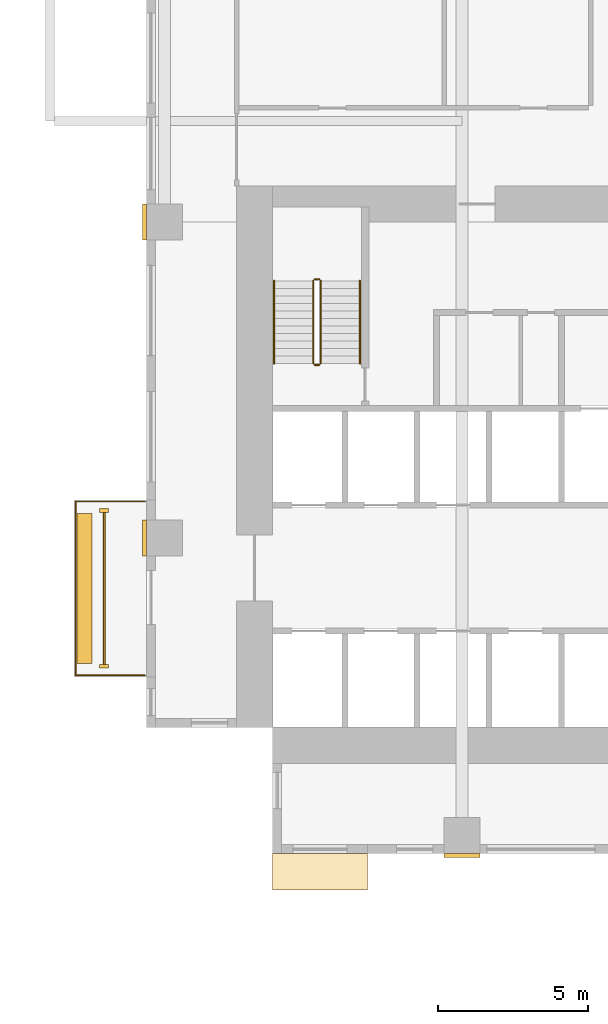
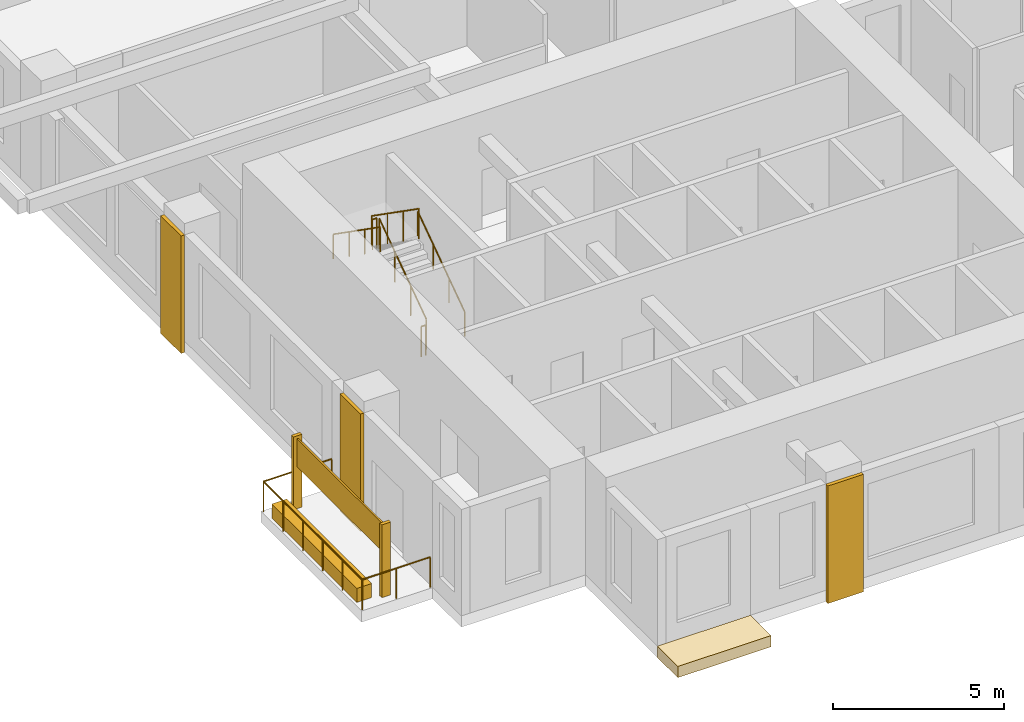
# One storey, part 11 of 15: 8 coverings, 7 railings.
"""IFC4 building model written with IfcOpenShell, lengths in metres."""

from ifc_helpers import new_model, si_unit, direction, frame, origin, origin_2d, place, context, subcontext, project, spatial, polyline, rectangle, circle, outline, extrude, source, transform, mapped, material, type_object, element, save


model = new_model("IFC4")

# Units and contexts
model_context = context("Model", 3, precision=1e-05, world=origin(), true_north=direction((0.0, 1.0)))
body_context = subcontext(model_context, "Body", "Model", "MODEL_VIEW")
ifc_project = project(units=[si_unit("LENGTHUNIT", "METRE"), si_unit("AREAUNIT", "SQUARE_METRE"), si_unit("VOLUMEUNIT", "CUBIC_METRE"), si_unit("PLANEANGLEUNIT", "RADIAN"), si_unit("MASSUNIT", "GRAM", prefix="KILO")], contexts=[model_context])

# Site, building, storey
site_placement = place(None, origin())
site = spatial("IfcSite", under=ifc_project, at=site_placement, CompositionType="ELEMENT")
building_placement = place(site_placement, origin())
building = spatial("IfcBuilding", under=site, at=building_placement, Name="Aurelian Terraces", CompositionType="ELEMENT")
storey_placement = place(building_placement, frame((0.0, 0.0, 82.5)))
storey = spatial("IfcBuildingStorey", under=building, at=storey_placement, Name="L17", CompositionType="ELEMENT", Elevation=82.5)

# Coverings
ifc_material_1 = material(Name="Terracotta roof tiles on membrane", Category="masonry")
covering_type_1 = type_object("IfcCoveringType", Name="Bay roof cover", PredefinedType="ROOFING", material=ifc_material_1)
covering_1_placement = place(storey_placement, frame((0.0, 0.0, -0.4)))
element("IfcCovering", 1, at=covering_1_placement, inside=storey, type_object=covering_type_1, Name="Bay roof L17 4.20_-1.20_7.35_0.00", PredefinedType="ROOFING", context=body_context, shape_type="SweptSolid", body=[
    extrude(outline(polyline([(4.2, 0.0), (7.35, 0.0), (7.35, -1.2), (4.2, -1.2), (4.2, 0.0)])), origin(), (0.0, 0.0, 1.0), 0.4),
])
ifc_material_2 = material(Name="Terracotta rainscreen cladding relief", Category="masonry")
covering_type_2 = type_object("IfcCoveringType", Name="FIN-TC", PredefinedType="CLADDING", material=ifc_material_2)
shared_shape_1 = source(origin(), body_context, "Body", "SweptSolid", [
    extrude(rectangle(XDim=0.3, YDim=0.12, at=origin_2d()), origin(), (0.0, 0.0, 1.0), 2.6),
])
for number, where, z_axis, x_axis, name in (
    (2, (-1.4, 11.41, 0.0), (0.0, 0.0, 1.0), (1.0, 0.0, 0.0), "FIN L17 L17-F14-34.1"),
    (3, (-1.4, 6.23, 0.0), (0.0, 0.0, 1.0), (1.0, 0.0, 0.0), "FIN L17 L17-F14-34.2"),
):
    element("IfcCovering", number, at=place(storey_placement, frame(where, z_axis=z_axis, x_axis=x_axis)), inside=storey, type_object=covering_type_2, Name=name, PredefinedType="CLADDING", context=body_context, shape_type="MappedRepresentation", body=[
        mapped(shared_shape_1, transform((0.0, 0.0, 0.0), scale=1.0)),
    ])
covering_type_3 = type_object("IfcCoveringType", Name="BAGUETTE-TC", PredefinedType="CLADDING", material=ifc_material_2)
shared_shape_2 = source(origin(), body_context, "Body", "SweptSolid", [
    extrude(rectangle(XDim=1.2, YDim=0.12, at=origin_2d()), origin(), (0.0, 0.0, 1.0), 4.2),
])
covering_2_placement = place(storey_placement, frame((10.5, -0.06, -0.4), z_axis=(0.0, 0.0, 1.0), x_axis=(1.0, 0.0, 0.0)))
element("IfcCovering", 4, at=covering_2_placement, inside=storey, type_object=covering_type_3, Name="BAGUETTE pier L17 1", PredefinedType="CLADDING", context=body_context, shape_type="MappedRepresentation", body=[
    mapped(shared_shape_2, transform((0.0, 0.0, 0.0), scale=1.0)),
])
shared_shape_3 = source(origin(), body_context, "Body", "SweptSolid", [
    extrude(rectangle(XDim=0.12, YDim=1.2, at=origin_2d()), origin(), (0.0, 0.0, 1.0), 4.2),
])
for number, where, z_axis, x_axis, name in (
    (5, (-0.06, 10.5, -0.4), (0.0, 0.0, 1.0), (1.0, 0.0, 0.0), "BAGUETTE pier L17 5"),
    (6, (-0.06, 21.0, -0.4), (0.0, 0.0, 1.0), (1.0, 0.0, 0.0), "BAGUETTE pier L17 9"),
):
    element("IfcCovering", number, at=place(storey_placement, frame(where, z_axis=z_axis, x_axis=x_axis)), inside=storey, type_object=covering_type_3, Name=name, PredefinedType="CLADDING", context=body_context, shape_type="MappedRepresentation", body=[
        mapped(shared_shape_3, transform((0.0, 0.0, 0.0), scale=1.0)),
    ])

# Railing
ifc_material_3 = material(Name="Anodised aluminium", Category="aluminium")
railing_type_1 = type_object("IfcRailingType", Name="GUARD-1100", PredefinedType="GUARDRAIL", material=ifc_material_3)
shared_shape_4 = source(origin(), body_context, "Body", "SweptSolid", [
    extrude(circle(Radius=0.024, at=origin_2d()), frame((0.0, 0.0, 1.076), z_axis=(-1.0, 0.0, 0.0), x_axis=(0.0, -1.0, 0.0)), (0.0, 0.0, 1.0), 2.3),
    extrude(circle(Radius=0.024, at=origin_2d()), frame((-2.3, 0.0, 1.076), z_axis=(0.0, -1.0, 0.0), x_axis=(1.0, 0.0, 0.0)), (0.0, 0.0, 1.0), 5.78),
    extrude(circle(Radius=0.024, at=origin_2d()), frame((-2.3, -5.78, 1.076), z_axis=(1.0, 0.0, 0.0), x_axis=(0.0, 1.0, 0.0)), (0.0, 0.0, 1.0), 2.3),
    extrude(circle(Radius=0.021, at=origin_2d()), origin(), (0.0, 0.0, 1.0), 1.052),
    extrude(circle(Radius=0.021, at=origin_2d()), frame((-1.15, 0.0, 0.0)), (0.0, 0.0, 1.0), 1.052),
    extrude(circle(Radius=0.021, at=origin_2d()), frame((-2.3, 0.0, 0.0)), (0.0, 0.0, 1.0), 1.052),
    extrude(circle(Radius=0.021, at=origin_2d()), frame((-2.3, -1.156, 0.0)), (0.0, 0.0, 1.0), 1.052),
    extrude(circle(Radius=0.021, at=origin_2d()), frame((-2.3, -2.312, 0.0)), (0.0, 0.0, 1.0), 1.052),
    extrude(circle(Radius=0.021, at=origin_2d()), frame((-2.3, -3.468, 0.0)), (0.0, 0.0, 1.0), 1.052),
    extrude(circle(Radius=0.021, at=origin_2d()), frame((-2.3, -4.624, 0.0)), (0.0, 0.0, 1.0), 1.052),
    extrude(circle(Radius=0.021, at=origin_2d()), frame((-2.3, -5.78, 0.0)), (0.0, 0.0, 1.0), 1.052),
    extrude(circle(Radius=0.021, at=origin_2d()), frame((-1.15, -5.78, 0.0)), (0.0, 0.0, 1.0), 1.052),
    extrude(circle(Radius=0.021, at=origin_2d()), frame((0.0, -5.78, 0.0)), (0.0, 0.0, 1.0), 1.052),
])
railing_1_placement = place(storey_placement, frame((-0.05, 11.71, 0.0)))
element("IfcRailing", 7, at=railing_1_placement, inside=storey, type_object=railing_type_1, Name="Balcony guard L17 F14.34", PredefinedType="GUARDRAIL", context=body_context, shape_type="MappedRepresentation", body=[
    mapped(shared_shape_4, transform((0.0, 0.0, 0.0), scale=1.0)),
])

# Coverings
ifc_material_4 = material(Name="Terracotta planter with planting soil", Category="masonry")
covering_type_4 = type_object("IfcCoveringType", Name="PLANTER-TROUGH", PredefinedType="USERDEFINED", material=ifc_material_4)
shared_shape_5 = source(origin(), body_context, "Body", "SweptSolid", [
    extrude(rectangle(XDim=0.5, YDim=4.98, at=origin_2d()), origin(), (0.0, 0.0, 1.0), 0.5),
])
covering_3_placement = place(storey_placement, frame((-2.05, 8.82, 0.0), z_axis=(0.0, 0.0, 1.0), x_axis=(1.0, 0.0, 0.0)))
element("IfcCovering", 8, at=covering_3_placement, inside=storey, type_object=covering_type_4, Name="PLANTER L17 L17-F14-34", ObjectType="PLANTER", PredefinedType="USERDEFINED", context=body_context, shape_type="MappedRepresentation", body=[
    mapped(shared_shape_5, transform((0.0, 0.0, 0.0), scale=1.0)),
])
ifc_material_5 = material(Name="Terracotta rainscreen cladding", Category="masonry")
covering_type_5 = type_object("IfcCoveringType", Name="SCREEN-TC", PredefinedType="CLADDING", material=ifc_material_5)
shared_shape_6 = source(origin(), body_context, "Body", "SweptSolid", [
    extrude(rectangle(XDim=0.06, YDim=5.06, at=origin_2d()), origin(), (0.0, 0.0, 1.0), 1.0),
])
covering_4_placement = place(storey_placement, frame((-1.4, 8.82, 1.5), z_axis=(0.0, 0.0, 1.0), x_axis=(1.0, 0.0, 0.0)))
element("IfcCovering", 9, at=covering_4_placement, inside=storey, type_object=covering_type_5, Name="SCREEN L17 L17-F14-34", PredefinedType="CLADDING", context=body_context, shape_type="MappedRepresentation", body=[
    mapped(shared_shape_6, transform((0.0, 0.0, 0.0), scale=1.0)),
])

# Railings
ifc_material_6 = material(Name="Stainless steel", Category="steel")
railing_type_2 = type_object("IfcRailingType", Name="Stair guard 1100", PredefinedType="GUARDRAIL", material=ifc_material_6)
shared_shape_7 = source(origin(), body_context, "Body", "SweptSolid", [
    extrude(circle(Radius=0.024, at=origin_2d()), frame((0.0, 0.0, 1.076), z_axis=(-1.0, 0.0, 0.0), x_axis=(0.0, -1.0, 0.0)), (0.0, 0.0, 1.0), 0.15),
    extrude(circle(Radius=0.021, at=origin_2d()), origin(), (0.0, 0.0, 1.0), 1.052),
    extrude(circle(Radius=0.021, at=origin_2d()), frame((-0.15, 0.0, 0.0)), (0.0, 0.0, 1.0), 1.052),
])
for number, where, name in (
    (10, (5.75, 19.1, 2.1), "L17 S1 stair guard 2"),
    (11, (5.75, 16.25, 0.0), "L17 S1 stair guard 4"),
):
    element("IfcRailing", number, at=place(storey_placement, frame(where)), inside=storey, type_object=railing_type_2, Name=name, PredefinedType="GUARDRAIL", context=body_context, shape_type="MappedRepresentation", body=[
        mapped(shared_shape_7, transform((0.0, 0.0, 0.0), scale=1.0)),
    ])
shared_shape_8 = source(origin(), body_context, "Body", "SweptSolid", [
    extrude(circle(Radius=0.024, at=origin_2d()), frame((0.0, 0.0, 1.076), z_axis=(0.0, 0.819231920519, 0.573462344363), x_axis=(-1.0, 0.0, 0.0)), (0.0, 0.0, 1.0), 3.3568),
    extrude(circle(Radius=0.021, at=origin_2d()), origin(), (0.0, 0.0, 1.0), 1.052),
    extrude(circle(Radius=0.021, at=origin_2d()), frame((0.0, 0.9167, 0.6417)), (0.0, 0.0, 1.0), 1.052),
    extrude(circle(Radius=0.021, at=origin_2d()), frame((0.0, 1.8333, 1.2833)), (0.0, 0.0, 1.0), 1.052),
    extrude(circle(Radius=0.021, at=origin_2d()), frame((0.0, 2.75, 1.925)), (0.0, 0.0, 1.0), 1.052),
])
railing_2_placement = place(storey_placement, frame((5.8, 16.3, 0.175)))
element("IfcRailing", 12, at=railing_2_placement, inside=storey, type_object=railing_type_2, Name="L17 S1 stair guard 1", PredefinedType="GUARDRAIL", context=body_context, shape_type="MappedRepresentation", body=[
    mapped(shared_shape_8, transform((0.0, 0.0, 0.0), scale=1.0)),
])
shared_shape_9 = source(origin(), body_context, "Body", "SweptSolid", [
    extrude(circle(Radius=0.024, at=origin_2d()), frame((0.0, 0.0, 1.076), z_axis=(0.0, -0.819231920519, 0.573462344363), x_axis=(1.0, 0.0, 0.0)), (0.0, 0.0, 1.0), 3.3568),
    extrude(circle(Radius=0.021, at=origin_2d()), origin(), (0.0, 0.0, 1.0), 1.052),
    extrude(circle(Radius=0.021, at=origin_2d()), frame((0.0, -0.9167, 0.6417)), (0.0, 0.0, 1.0), 1.052),
    extrude(circle(Radius=0.021, at=origin_2d()), frame((0.0, -1.8333, 1.2833)), (0.0, 0.0, 1.0), 1.052),
    extrude(circle(Radius=0.021, at=origin_2d()), frame((0.0, -2.75, 1.925)), (0.0, 0.0, 1.0), 1.052),
])
railing_3_placement = place(storey_placement, frame((5.55, 19.05, 2.275)))
element("IfcRailing", 13, at=railing_3_placement, inside=storey, type_object=railing_type_2, Name="L17 S1 stair guard 3", PredefinedType="GUARDRAIL", context=body_context, shape_type="MappedRepresentation", body=[
    mapped(shared_shape_9, transform((0.0, 0.0, 0.0), scale=1.0)),
])
railing_type_3 = type_object("IfcRailingType", Name="Stair handrail", PredefinedType="HANDRAIL", material=ifc_material_6)
shared_shape_10 = source(origin(), body_context, "Body", "SweptSolid", [
    extrude(circle(Radius=0.024, at=origin_2d()), frame((0.0, 0.0, 0.876), z_axis=(0.0, 0.819231920519, 0.573462344363), x_axis=(-1.0, 0.0, 0.0)), (0.0, 0.0, 1.0), 3.3568),
    extrude(circle(Radius=0.021, at=origin_2d()), origin(), (0.0, 0.0, 1.0), 0.852),
    extrude(circle(Radius=0.021, at=origin_2d()), frame((0.0, 0.9167, 0.6417)), (0.0, 0.0, 1.0), 0.852),
    extrude(circle(Radius=0.021, at=origin_2d()), frame((0.0, 1.8333, 1.2833)), (0.0, 0.0, 1.0), 0.852),
    extrude(circle(Radius=0.021, at=origin_2d()), frame((0.0, 2.75, 1.925)), (0.0, 0.0, 1.0), 0.852),
])
railing_4_placement = place(storey_placement, frame((7.1, 16.3, 0.175)))
element("IfcRailing", 14, at=railing_4_placement, inside=storey, type_object=railing_type_3, Name="L17 S1 stair handrail 1", PredefinedType="HANDRAIL", context=body_context, shape_type="MappedRepresentation", body=[
    mapped(shared_shape_10, transform((0.0, 0.0, 0.0), scale=1.0)),
])
shared_shape_11 = source(origin(), body_context, "Body", "SweptSolid", [
    extrude(circle(Radius=0.024, at=origin_2d()), frame((0.0, 0.0, 0.876), z_axis=(0.0, -0.819231920519, 0.573462344363), x_axis=(1.0, 0.0, 0.0)), (0.0, 0.0, 1.0), 3.3568),
    extrude(circle(Radius=0.021, at=origin_2d()), origin(), (0.0, 0.0, 1.0), 0.852),
    extrude(circle(Radius=0.021, at=origin_2d()), frame((0.0, -0.9167, 0.6417)), (0.0, 0.0, 1.0), 0.852),
    extrude(circle(Radius=0.021, at=origin_2d()), frame((0.0, -1.8333, 1.2833)), (0.0, 0.0, 1.0), 0.852),
    extrude(circle(Radius=0.021, at=origin_2d()), frame((0.0, -2.75, 1.925)), (0.0, 0.0, 1.0), 0.852),
])
railing_5_placement = place(storey_placement, frame((4.25, 19.05, 2.275)))
element("IfcRailing", 15, at=railing_5_placement, inside=storey, type_object=railing_type_3, Name="L17 S1 stair handrail 2", PredefinedType="HANDRAIL", context=body_context, shape_type="MappedRepresentation", body=[
    mapped(shared_shape_11, transform((0.0, 0.0, 0.0), scale=1.0)),
])

save(model, "model.ifc")
